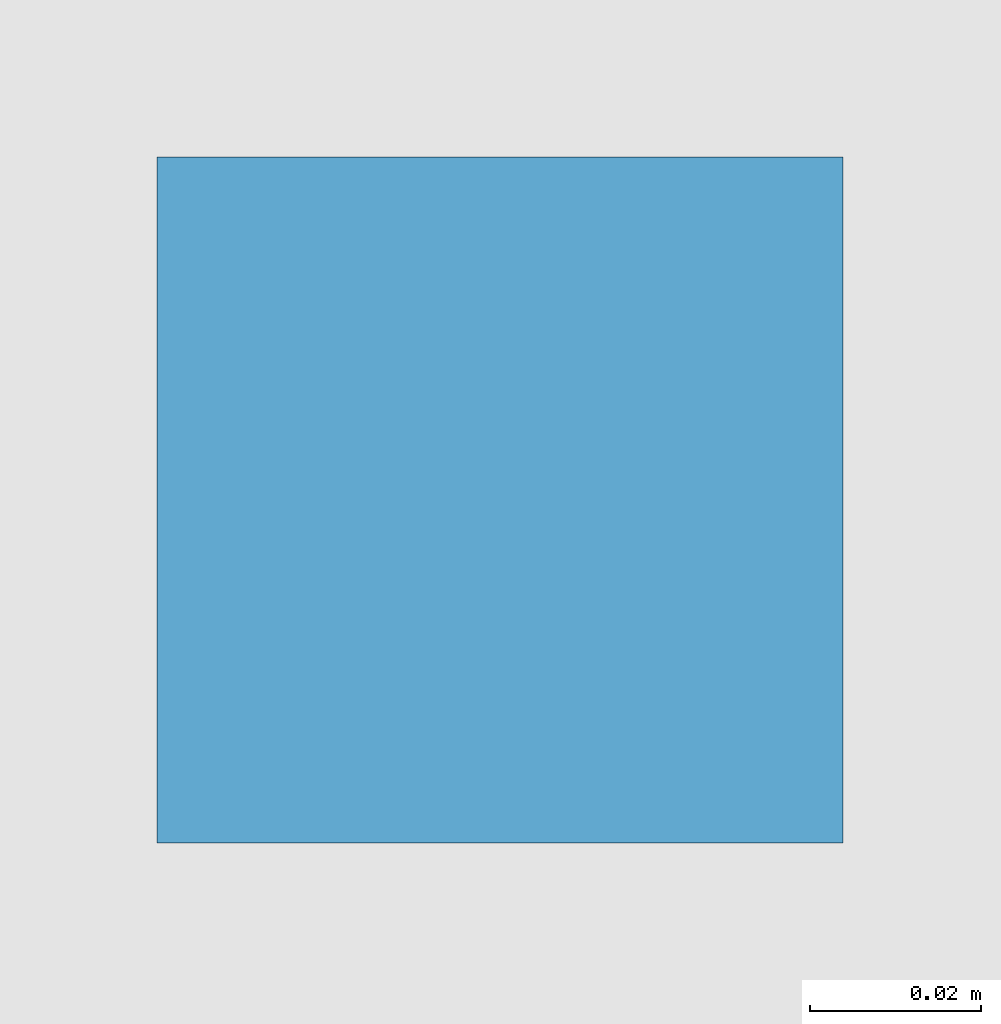
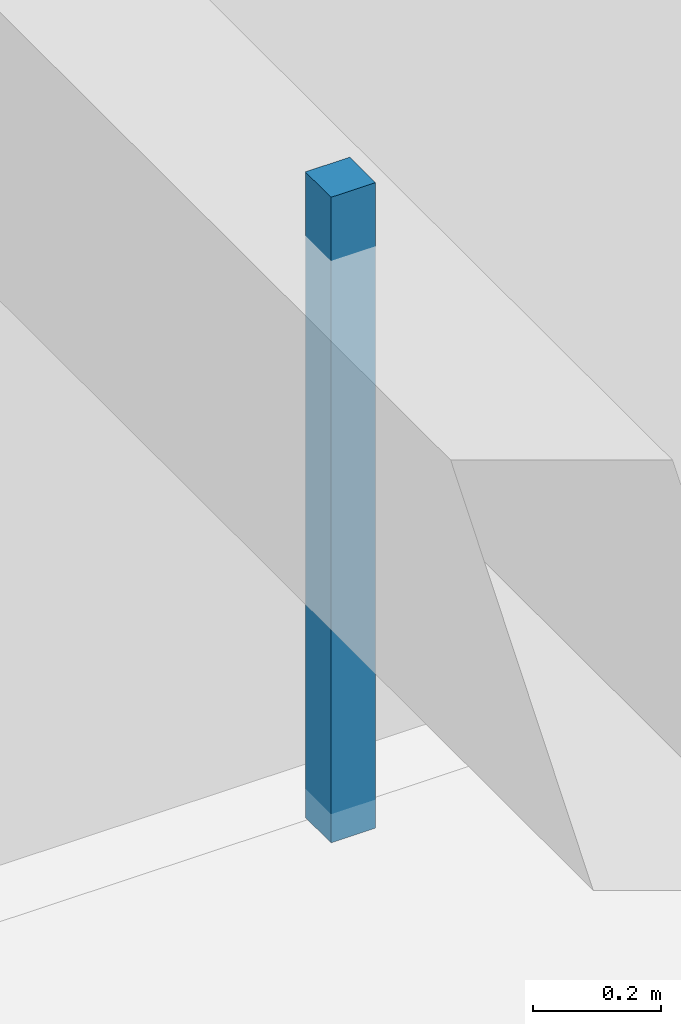
# One storey, part 118 of 144: 1 discrete accessory.
"""IFC4 building model written with IfcOpenShell, lengths in metres."""

from ifc_helpers import new_model, si_unit, direction, frame, origin, origin_2d, place, context, subcontext, project, spatial, rectangle, extrude, material, layer, layer_set, type_object, element, save


model = new_model("IFC4")

# Units and contexts
model_context = context("Model", 3, precision=1e-05, world=origin(), true_north=direction((0.0, 1.0)))
body_context = subcontext(model_context, "Body", "Model", "MODEL_VIEW")
ifc_project = project(units=[si_unit("LENGTHUNIT", "METRE"), si_unit("AREAUNIT", "SQUARE_METRE"), si_unit("VOLUMEUNIT", "CUBIC_METRE"), si_unit("PLANEANGLEUNIT", "RADIAN"), si_unit("MASSUNIT", "GRAM", prefix="KILO")], contexts=[model_context])

# Site, building, storey
site_placement = place(None, origin())
site = spatial("IfcSite", under=ifc_project, at=site_placement, CompositionType="ELEMENT")
building_placement = place(site_placement, origin())
building = spatial("IfcBuilding", under=site, at=building_placement, Name="Varnabhumi Central Station", CompositionType="ELEMENT")
storey_placement = place(building_placement, frame((0.0, 0.0, 4.800048828125)))
storey = spatial("IfcBuildingStorey", under=building, at=storey_placement, Name="L01", CompositionType="ELEMENT", Elevation=4.800048828125)

# Discrete accessory
ifc_material = material(Name="Structural steel E350", Category="steel")
ifc_layer = layer(ifc_material, 0.159912109375, Name="Structural steel E350", Category="steel")
ifc_layer_set = layer_set([ifc_layer], Name="Structural steel E350")
discrete_accessory_type = type_object("IfcDiscreteAccessoryType", Name="ACC-SHADE-BRKT", PredefinedType="BRACKET", material=ifc_layer_set)
discrete_accessory_placement = place(storey_placement, frame((84.0, 4.5, 3.43994140625), z_axis=(0.0, 0.0, 1.0), x_axis=(1.0, 0.0, 0.0)))
element("IfcDiscreteAccessory", 1, at=discrete_accessory_placement, inside=storey, type_object=discrete_accessory_type, Name="Parcel Logistics and Customs Office Ceiling Hanger", PredefinedType="BRACKET", context=body_context, shape_type="SweptSolid", body=[
    extrude(rectangle(XDim=0.080078125, YDim=0.080078125, at=origin_2d()), origin(), (0.0, 0.0, 1.0), 1.22998046875),
])

save(model, "model.ifc")
